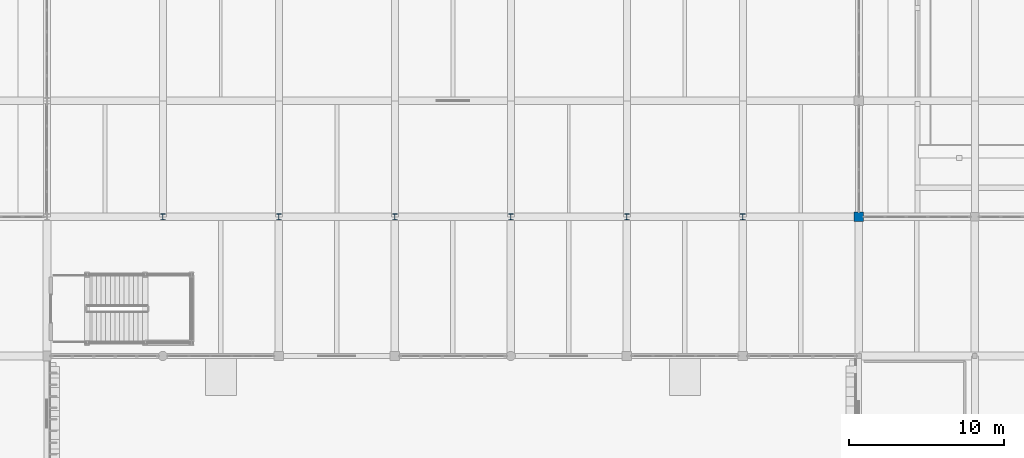
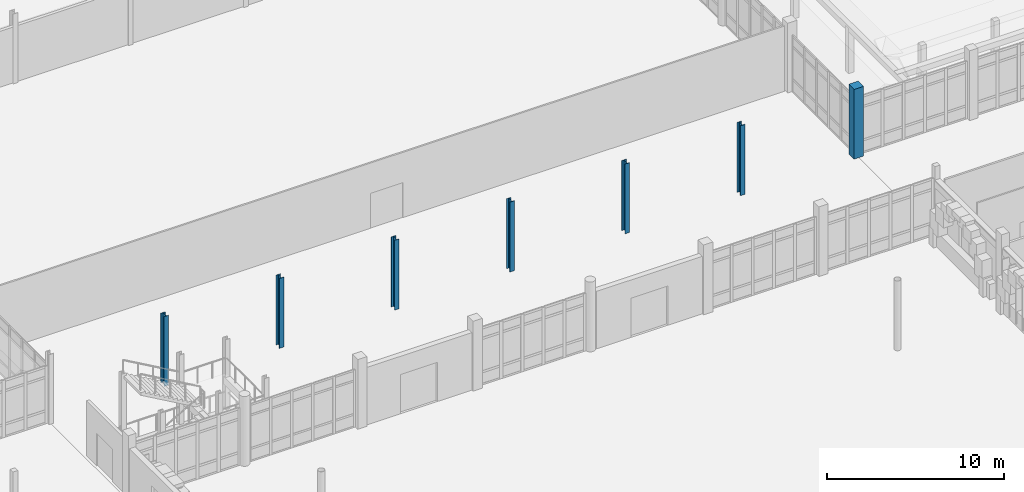
# One storey, part 6 of 125: 7 columns.
"""IFC4 building model written with IfcOpenShell, lengths in metres."""

from ifc_helpers import new_model, si_unit, direction, frame, origin, origin_2d, place, context, subcontext, project, spatial, rectangle, i_section, extrude, material, material_profile, profile_set, type_object, element, save


model = new_model("IFC4")

# Units and contexts
model_context = context("Model", 3, precision=1e-05, world=origin(), true_north=direction((0.0, 1.0)))
body_context = subcontext(model_context, "Body", "Model", "MODEL_VIEW")
ifc_project = project(units=[si_unit("LENGTHUNIT", "METRE"), si_unit("AREAUNIT", "SQUARE_METRE"), si_unit("VOLUMEUNIT", "CUBIC_METRE"), si_unit("PLANEANGLEUNIT", "RADIAN"), si_unit("MASSUNIT", "GRAM", prefix="KILO")], contexts=[model_context])

# Site, building, storey
site_placement = place(None, origin())
site = spatial("IfcSite", under=ifc_project, at=site_placement, CompositionType="ELEMENT")
building_placement = place(site_placement, origin())
building = spatial("IfcBuilding", under=site, at=building_placement, Name="Dalvernix Boulevard General Hospital", CompositionType="ELEMENT")
storey_placement = place(building_placement, origin())
storey = spatial("IfcBuildingStorey", under=building, at=storey_placement, Name="L00", CompositionType="ELEMENT", Elevation=0.0)

# Columns
ifc_material_1 = material(Name="Concrete C40/50", Category="concrete")
ifc_material_profile_1 = material_profile(ifc_material_1, rectangle(XDim=0.60009765625, YDim=0.60009765625, at=origin_2d()), Name="RC 600x600")
ifc_profile_set_1 = profile_set([ifc_material_profile_1], Name="Concrete C40/50")
column_type_1 = type_object("IfcColumnType", Name="COL-C-07-E", PredefinedType="COLUMN", material=ifc_profile_set_1)
column_placement = place(storey_placement, frame((112.5, 31.5, 0.0), z_axis=(0.0, 0.0, 1.0), x_axis=(1.0, 0.0, 0.0)))
element("IfcColumn", 1, at=column_placement, inside=storey, type_object=column_type_1, Name="L00 column 16E", PredefinedType="COLUMN", context=body_context, shape_type="SweptSolid", body=[
    extrude(rectangle(XDim=0.60009765625, YDim=0.60009765625, at=origin_2d()), origin(), (0.0, 0.0, 1.0), 4.800048828125),
])
ifc_material_2 = material(Name="Steel S355", Category="steel")
ifc_material_profile_2 = material_profile(ifc_material_2, i_section(OverallWidth=0.300048828125, OverallDepth=0.39990234375, WebThickness=0.013427734375, FlangeThickness=0.02392578125, FilletRadius=0.027099609375, at=origin_2d()), Name="HEB 400")
ifc_profile_set_2 = profile_set([ifc_material_profile_2], Name="Steel S355")
column_type_2 = type_object("IfcColumnType", Name="COL-C-16-I", PredefinedType="COLUMN", material=ifc_profile_set_2)
for number, where, z_axis, x_axis, name in (
    (2, (67.5, 31.5, 0.0), (0.0, 0.0, 1.0), (1.0, 0.0, 0.0), "L00 column 10E"),
    (3, (75.0, 31.5, 0.0), (0.0, 0.0, 1.0), (1.0, 0.0, 0.0), "L00 column 11E"),
    (4, (82.5, 31.5, 0.0), (0.0, 0.0, 1.0), (1.0, 0.0, 0.0), "L00 column 12E"),
    (5, (90.0, 31.5, 0.0), (0.0, 0.0, 1.0), (1.0, 0.0, 0.0), "L00 column 13E"),
    (6, (97.5, 31.5, 0.0), (0.0, 0.0, 1.0), (1.0, 0.0, 0.0), "L00 column 14E"),
    (7, (105.0, 31.5, 0.0), (0.0, 0.0, 1.0), (1.0, 0.0, 0.0), "L00 column 15E"),
):
    element("IfcColumn", number, at=place(storey_placement, frame(where, z_axis=z_axis, x_axis=x_axis)), inside=storey, type_object=column_type_2, Name=name, PredefinedType="COLUMN", context=body_context, shape_type="SweptSolid", body=[
        extrude(i_section(OverallWidth=0.300048828125, OverallDepth=0.39990234375, WebThickness=0.013427734375, FlangeThickness=0.02392578125, FilletRadius=0.027099609375, at=origin_2d()), origin(), (0.0, 0.0, 1.0), 4.800048828125),
    ])

save(model, "model.ifc")
